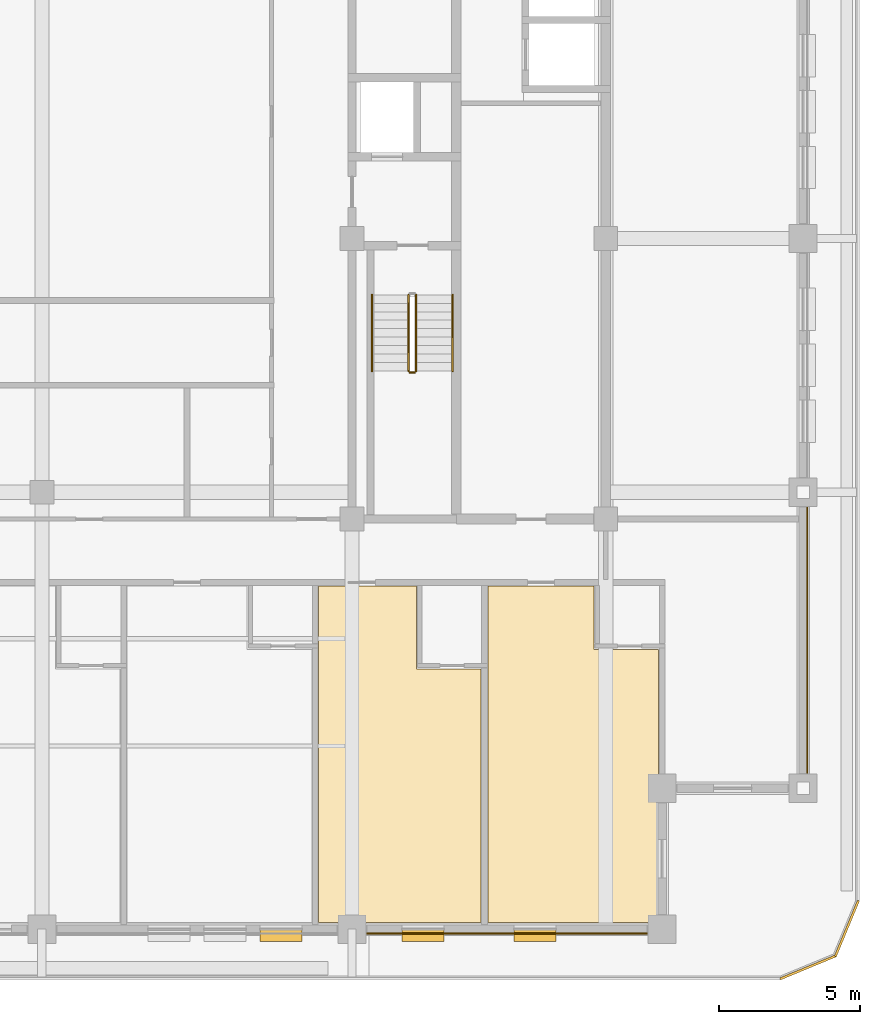
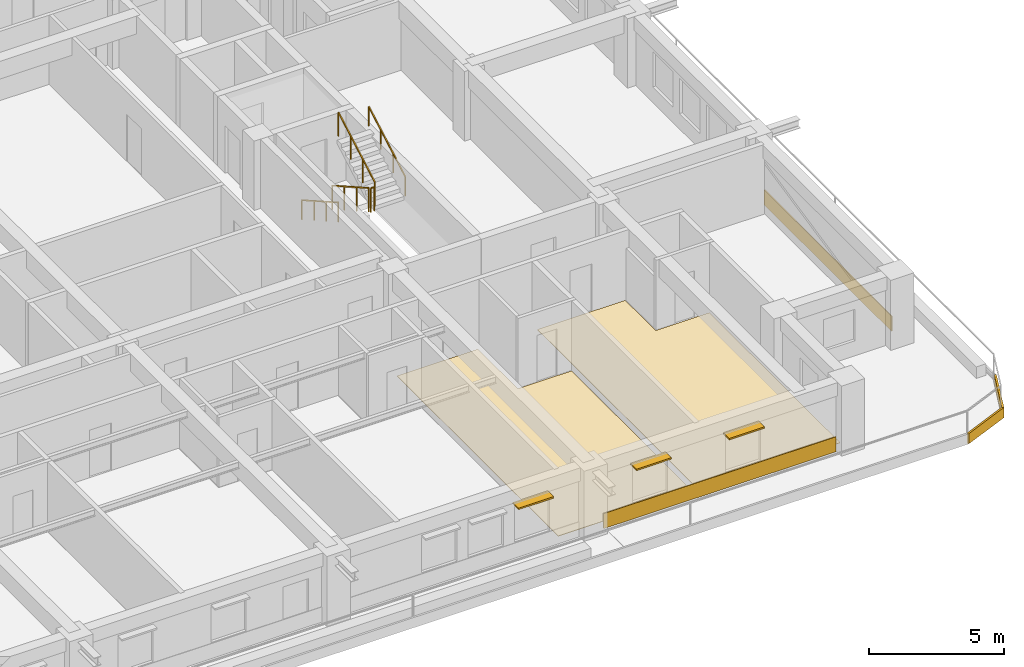
# One storey, part 12 of 14: 6 coverings, 5 railings, 3 shading devices.
"""IFC4 building model written with IfcOpenShell, lengths in metres."""

from ifc_helpers import new_model, si_unit, direction, frame, frame_2d, origin, origin_2d, place, context, subcontext, project, spatial, polyline, rectangle, outline, extrude, material, layer, layer_set, type_object, element, save


model = new_model("IFC4")

# Units and contexts
model_context = context("Model", 3, precision=1e-05, world=origin(), true_north=direction((0.0, 1.0)))
body_context = subcontext(model_context, "Body", "Model", "MODEL_VIEW")
ifc_project = project(units=[si_unit("LENGTHUNIT", "METRE"), si_unit("AREAUNIT", "SQUARE_METRE"), si_unit("VOLUMEUNIT", "CUBIC_METRE"), si_unit("PLANEANGLEUNIT", "RADIAN"), si_unit("MASSUNIT", "GRAM", prefix="KILO")], contexts=[model_context])

# Site, building, storey
site_placement = place(None, origin())
site = spatial("IfcSite", under=ifc_project, at=site_placement, CompositionType="ELEMENT")
building_placement = place(site_placement, origin())
building = spatial("IfcBuilding", under=site, at=building_placement, Name="Zulmaris Gate Convention Tower", CompositionType="ELEMENT")
storey_placement = place(building_placement, frame((0.0, 0.0, 179.659912109375)))
storey = spatial("IfcBuildingStorey", under=building, at=storey_placement, Name="L46", CompositionType="ELEMENT", Elevation=179.659912109375)

# Coverings
ifc_material_1 = material(Name="Precast concrete C40/50", Category="concrete")
ifc_layer_1 = layer(ifc_material_1, 0.0400390625, Name="Precast concrete C40/50")
ifc_layer_set_1 = layer_set([ifc_layer_1], Name="Precast concrete C40/50")
covering_type_1 = type_object("IfcCoveringType", Name="CLAD-SPANDREL-PRECAST", PredefinedType="CLADDING", material=ifc_layer_set_1)
covering_1_placement = place(storey_placement, frame((11.530029296875, -24.64990234375, 0.0), z_axis=(0.0, 0.0, 1.0), x_axis=(1.0, 0.0, 0.0)))
element("IfcCovering", 1, at=covering_1_placement, inside=storey, type_object=covering_type_1, Name="CLD-L46-S-3_0", PredefinedType="CLADDING", context=body_context, shape_type="SweptSolid", body=[
    extrude(rectangle(XDim=9.93994140625, YDim=0.0400390625, at=frame_2d((4.969970703125, 0.0))), origin(), (0.0, 0.0, 1.0), 0.679931640625),
])
covering_2_placement = place(storey_placement, frame((27.14990234375, -18.969970703125, 0.0), z_axis=(0.0, 0.0, 1.0), x_axis=(0.0, 1.0, 0.0)))
element("IfcCovering", 2, at=covering_2_placement, inside=storey, type_object=covering_type_1, Name="CLD-L46-E-0_0", PredefinedType="CLADDING", context=body_context, shape_type="SweptSolid", body=[
    extrude(rectangle(XDim=9.43994140625, YDim=0.0400390625, at=frame_2d((4.719970703125, 0.0))), origin(), (0.0, 0.0, 1.0), 0.679931640625),
])
ifc_material_2 = material(Name="White Glazed Architectural Precast Concrete C40/50", Category="concrete")
ifc_layer_2 = layer(ifc_material_2, 0.080078125, Name="White Glazed Architectural Precast Concrete C40/50")
ifc_layer_set_2 = layer_set([ifc_layer_2], Name="White Glazed Architectural Precast Concrete C40/50")
covering_type_2 = type_object("IfcCoveringType", Name="CLAD-TRAY-FASCIA", PredefinedType="CLADDING", material=ifc_layer_set_2)
covering_3_placement = place(storey_placement, frame((26.184814453125, -26.262939453125, -0.31494140625), z_axis=(0.0, 0.0, 1.0), x_axis=(0.923873803533, 0.382697263049, 0.0)))
element("IfcCovering", 3, at=covering_3_placement, inside=storey, type_object=covering_type_2, Name="FSC-L46-TR-03", PredefinedType="CLADDING", context=body_context, shape_type="SweptSolid", body=[
    extrude(rectangle(XDim=2.142822265625, YDim=0.080078125, at=frame_2d((1.0712890625, 0.0))), origin(), (0.0, 0.0, 1.0), 0.4599609375),
])
covering_4_placement = place(storey_placement, frame((28.142822265625, -25.464599609375, -0.31494140625), z_axis=(0.0, 0.0, 1.0), x_axis=(0.382656984709, 0.923890487046, 0.0)))
element("IfcCovering", 4, at=covering_4_placement, inside=storey, type_object=covering_type_2, Name="FSC-L46-TR-04", PredefinedType="CLADDING", context=body_context, shape_type="SweptSolid", body=[
    extrude(rectangle(XDim=2.14306640625, YDim=0.080078125, at=frame_2d((1.071533203125, 0.0))), origin(), (0.0, 0.0, 1.0), 0.4599609375),
])
ifc_material_3 = material(Name="Engineered Teak Parquet Flooring")
ifc_layer_3 = layer(ifc_material_3, 0.02001953125, Name="Engineered Teak Parquet Flooring")
ifc_layer_set_3 = layer_set([ifc_layer_3], Name="Engineered Teak Parquet Flooring")
covering_type_3 = type_object("IfcCoveringType", Name="FLR-TIMBER-18", PredefinedType="FLOORING", material=ifc_layer_set_3)
covering_5_placement = place(storey_placement, origin())
element("IfcCovering", 5, at=covering_5_placement, inside=storey, type_object=covering_type_3, Name="FLR-L46-R46", PredefinedType="FLOORING", context=body_context, shape_type="SweptSolid", body=[
    extrude(outline(polyline([(9.820068359375, -24.260009765625), (15.580078125, -24.260009765625), (15.580078125, -15.27001953125), (13.280029296875, -15.27001953125), (13.280029296875, -12.320068359375), (9.820068359375, -12.320068359375), (9.820068359375, -24.260009765625)])), origin(), (0.0, 0.0, 1.0), 0.02001953125),
])
covering_6_placement = place(storey_placement, origin())
element("IfcCovering", 6, at=covering_6_placement, inside=storey, type_object=covering_type_3, Name="FLR-L46-R48", PredefinedType="FLOORING", context=body_context, shape_type="SweptSolid", body=[
    extrude(outline(polyline([(15.820068359375, -24.260009765625), (21.8798828125, -24.260009765625), (21.8798828125, -14.570068359375), (19.580078125, -14.570068359375), (19.580078125, -12.320068359375), (15.820068359375, -12.320068359375), (15.820068359375, -24.260009765625)])), origin(), (0.0, 0.0, 1.0), 0.02001953125),
])

# Railings
ifc_material_4 = material(Name="Painted Galvanised Steel", Category="steel")
railing_type_1 = type_object("IfcRailingType", Name="RL-STG-1150", PredefinedType="GUARDRAIL", material=ifc_material_4)
railing_1_placement = place(storey_placement, frame((13.010009765625, -2.0, 0.169921875)))
element("IfcRailing", 7, at=railing_1_placement, inside=storey, type_object=railing_type_1, Name="L46 ST-2 stair guard 1", PredefinedType="GUARDRAIL", context=body_context, shape_type="SweptSolid", body=[
    extrude(rectangle(XDim=0.048095703125, YDim=0.048095703125, at=origin_2d()), frame((0.0, 0.0, 1.076171875), z_axis=(0.0, -0.870014312096, 0.49302646658), x_axis=(1.0, 0.0, 0.0)), (0.0, 0.0, 1.0), 3.103271484375),
    extrude(rectangle(XDim=0.0419921875, YDim=0.0419921875, at=origin_2d()), origin(), (0.0, 0.0, 1.0), 1.052001953125),
    extrude(rectangle(XDim=0.0419921875, YDim=0.0419921875, at=origin_2d()), frame((0.0, -0.89990234375, 0.510009765625)), (0.0, 0.0, 1.0), 1.052001953125),
    extrude(rectangle(XDim=0.0419921875, YDim=0.0419921875, at=origin_2d()), frame((0.0, -1.800048828125, 1.02001953125)), (0.0, 0.0, 1.0), 1.052001953125),
    extrude(rectangle(XDim=0.0419921875, YDim=0.0419921875, at=origin_2d()), frame((0.0, -2.699951171875, 1.530029296875)), (0.0, 0.0, 1.0), 1.052001953125),
])
railing_2_placement = place(storey_placement, frame((13.06005859375, -4.75, 1.699951171875)))
element("IfcRailing", 8, at=railing_2_placement, inside=storey, type_object=railing_type_1, Name="L46 ST-2 stair guard 2", PredefinedType="GUARDRAIL", context=body_context, shape_type="SweptSolid", body=[
    extrude(rectangle(XDim=0.048095703125, YDim=0.048095703125, at=origin_2d()), frame((0.0, 0.0, 1.076171875), z_axis=(1.0, 0.0, 0.0), x_axis=(0.0, 1.0, 0.0)), (0.0, 0.0, 1.0), 0.159912109375),
    extrude(rectangle(XDim=0.0419921875, YDim=0.0419921875, at=origin_2d()), origin(), (0.0, 0.0, 1.0), 1.052001953125),
    extrude(rectangle(XDim=0.0419921875, YDim=0.0419921875, at=origin_2d()), frame((0.159912109375, 0.0, 0.0)), (0.0, 0.0, 1.0), 1.052001953125),
])
railing_3_placement = place(storey_placement, frame((13.27001953125, -4.699951171875, 1.869873046875)))
element("IfcRailing", 9, at=railing_3_placement, inside=storey, type_object=railing_type_1, Name="L46 ST-2 stair guard 3", PredefinedType="GUARDRAIL", context=body_context, shape_type="SweptSolid", body=[
    extrude(rectangle(XDim=0.048095703125, YDim=0.048095703125, at=origin_2d()), frame((0.0, 0.0, 1.076171875), z_axis=(0.0, 0.870014312096, 0.49302646658), x_axis=(-1.0, 0.0, 0.0)), (0.0, 0.0, 1.0), 3.103271484375),
    extrude(rectangle(XDim=0.0419921875, YDim=0.0419921875, at=origin_2d()), origin(), (0.0, 0.0, 1.0), 1.052001953125),
    extrude(rectangle(XDim=0.0419921875, YDim=0.0419921875, at=origin_2d()), frame((0.0, 0.89990234375, 0.510009765625)), (0.0, 0.0, 1.0), 1.052001953125),
    extrude(rectangle(XDim=0.0419921875, YDim=0.0419921875, at=origin_2d()), frame((0.0, 1.800048828125, 1.02001953125)), (0.0, 0.0, 1.0), 1.052001953125),
    extrude(rectangle(XDim=0.0419921875, YDim=0.0419921875, at=origin_2d()), frame((0.0, 2.699951171875, 1.530029296875)), (0.0, 0.0, 1.0), 1.052001953125),
])
ifc_material_5 = material(Name="Brushed Stainless Steel", Category="steel")
railing_type_2 = type_object("IfcRailingType", Name="RL-STH-900", PredefinedType="HANDRAIL", material=ifc_material_5)
railing_4_placement = place(storey_placement, frame((11.7099609375, -2.0, 0.169921875)))
element("IfcRailing", 10, at=railing_4_placement, inside=storey, type_object=railing_type_2, Name="L46 ST-2 stair handrail 1", PredefinedType="HANDRAIL", context=body_context, shape_type="SweptSolid", body=[
    extrude(rectangle(XDim=0.048095703125, YDim=0.048095703125, at=origin_2d()), frame((0.0, 0.0, 0.8759765625), z_axis=(0.0, -0.870014312096, 0.49302646658), x_axis=(1.0, 0.0, 0.0)), (0.0, 0.0, 1.0), 3.103271484375),
    extrude(rectangle(XDim=0.0419921875, YDim=0.0419921875, at=origin_2d()), origin(), (0.0, 0.0, 1.0), 0.851806640625),
    extrude(rectangle(XDim=0.0419921875, YDim=0.0419921875, at=origin_2d()), frame((0.0, -0.89990234375, 0.510009765625)), (0.0, 0.0, 1.0), 0.851806640625),
    extrude(rectangle(XDim=0.0419921875, YDim=0.0419921875, at=origin_2d()), frame((0.0, -1.800048828125, 1.02001953125)), (0.0, 0.0, 1.0), 0.851806640625),
    extrude(rectangle(XDim=0.0419921875, YDim=0.0419921875, at=origin_2d()), frame((0.0, -2.699951171875, 1.530029296875)), (0.0, 0.0, 1.0), 0.851806640625),
])
railing_5_placement = place(storey_placement, frame((14.570068359375, -4.699951171875, 1.869873046875)))
element("IfcRailing", 11, at=railing_5_placement, inside=storey, type_object=railing_type_2, Name="L46 ST-2 stair handrail 2", PredefinedType="HANDRAIL", context=body_context, shape_type="SweptSolid", body=[
    extrude(rectangle(XDim=0.048095703125, YDim=0.048095703125, at=origin_2d()), frame((0.0, 0.0, 0.8759765625), z_axis=(0.0, 0.870014312096, 0.49302646658), x_axis=(-1.0, 0.0, 0.0)), (0.0, 0.0, 1.0), 3.103271484375),
    extrude(rectangle(XDim=0.0419921875, YDim=0.0419921875, at=origin_2d()), origin(), (0.0, 0.0, 1.0), 0.851806640625),
    extrude(rectangle(XDim=0.0419921875, YDim=0.0419921875, at=origin_2d()), frame((0.0, 0.89990234375, 0.510009765625)), (0.0, 0.0, 1.0), 0.851806640625),
    extrude(rectangle(XDim=0.0419921875, YDim=0.0419921875, at=origin_2d()), frame((0.0, 1.800048828125, 1.02001953125)), (0.0, 0.0, 1.0), 0.851806640625),
    extrude(rectangle(XDim=0.0419921875, YDim=0.0419921875, at=origin_2d()), frame((0.0, 2.699951171875, 1.530029296875)), (0.0, 0.0, 1.0), 0.851806640625),
])

# Shading devices
ifc_material_6 = material(Name="Glazed Ceramic Terracotta", Category="masonry")
ifc_layer_4 = layer(ifc_material_6, 0.070068359375, Name="Glazed Ceramic Terracotta")
ifc_layer_set_4 = layer_set([ifc_layer_4], Name="Glazed Ceramic Terracotta")
shading_device_type = type_object("IfcShadingDeviceType", Name="SHD-SUNSHADE-TC", PredefinedType="AWNING", material=ifc_layer_set_4)
for number, where, z_axis, x_axis, name in (
    (12, (7.73193359375, -24.719970703125, 2.35009765625), (0.0, 0.0, 1.0), (1.0, 0.0, 0.0), "SHD-EW-L46-S-2_0-4"),
    (13, (12.76806640625, -24.719970703125, 2.35009765625), (0.0, 0.0, 1.0), (1.0, 0.0, 0.0), "SHD-EW-L46-S-3_0-1"),
    (14, (16.743896484375, -24.719970703125, 2.35009765625), (0.0, 0.0, 1.0), (1.0, 0.0, 0.0), "SHD-EW-L46-S-3_0-3"),
):
    element("IfcShadingDevice", number, at=place(storey_placement, frame(where, z_axis=z_axis, x_axis=x_axis)), inside=storey, type_object=shading_device_type, Name=name, PredefinedType="AWNING", context=body_context, shape_type="SweptSolid", body=[
        extrude(rectangle(XDim=1.5, YDim=0.43994140625, at=frame_2d((0.75, 0.0))), origin(), (0.0, 0.0, 1.0), 0.06982421875),
    ])

save(model, "model.ifc")
